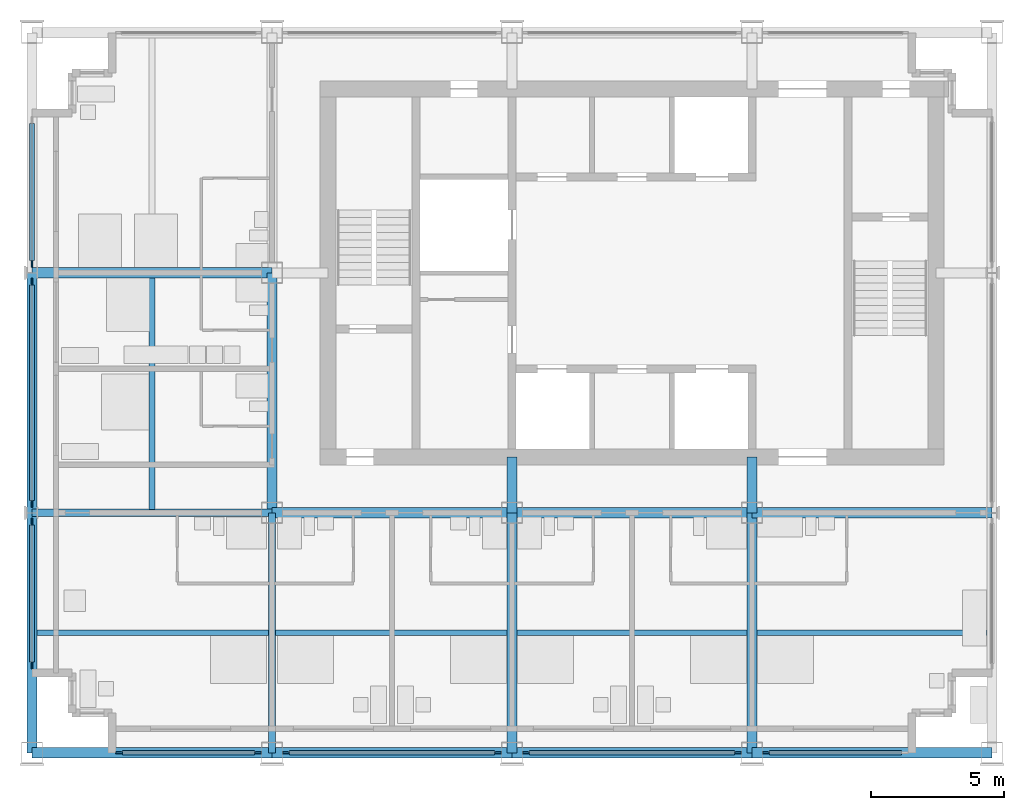
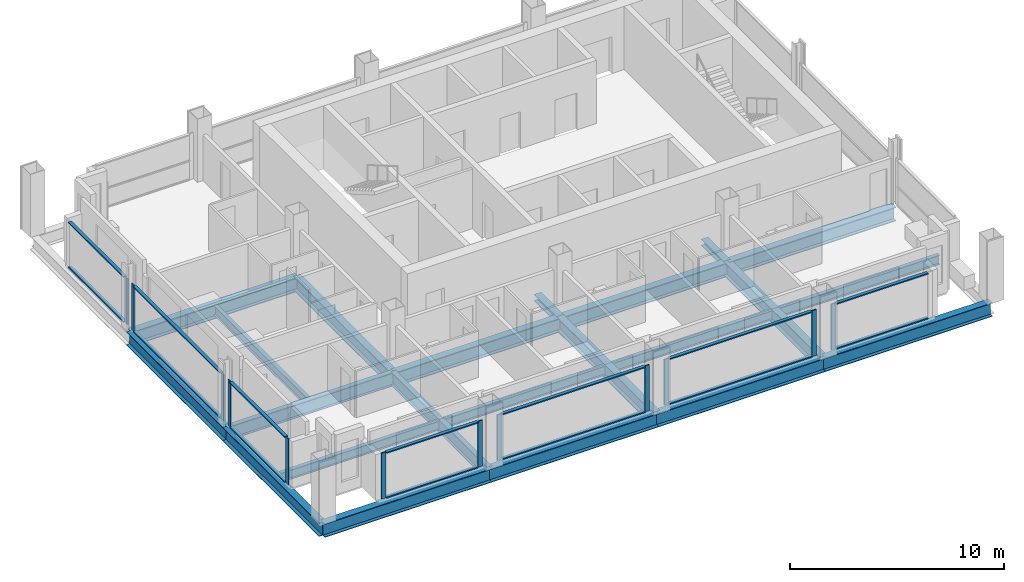
# One storey, part 2 of 12: 28 members, 20 beams, 7 elements without a shape of their own.
"""IFC4 building model written with IfcOpenShell, lengths in metres."""

from ifc_helpers import new_model, si_unit, direction, frame, origin, origin_2d, place, context, subcontext, project, spatial, rectangle, i_section, extrude, material, material_profile, profile_set, type_object, element, aggregate, save


model = new_model("IFC4")

# Units and contexts
model_context = context("Model", 3, precision=1e-05, world=origin(), true_north=direction((0.0, 1.0)))
body_context = subcontext(model_context, "Body", "Model", "MODEL_VIEW")
ifc_project = project(units=[si_unit("LENGTHUNIT", "METRE"), si_unit("AREAUNIT", "SQUARE_METRE"), si_unit("VOLUMEUNIT", "CUBIC_METRE"), si_unit("PLANEANGLEUNIT", "RADIAN"), si_unit("MASSUNIT", "GRAM", prefix="KILO")], contexts=[model_context])

# Site, building, storey
site_placement = place(None, origin())
site = spatial("IfcSite", under=ifc_project, at=site_placement, CompositionType="ELEMENT")
building_placement = place(site_placement, origin())
building = spatial("IfcBuilding", under=site, at=building_placement, Name="Loomwork Tower", CompositionType="ELEMENT")
storey_placement = place(building_placement, frame((0.0, 0.0, 255.39990234375)))
storey = spatial("IfcBuildingStorey", under=building, at=storey_placement, Name="L70", CompositionType="ELEMENT", Elevation=255.39990234375)

# Beams
ifc_material_1 = material(Name="Steel ASTM A992", Category="steel")
ifc_material_profile_1 = material_profile(ifc_material_1, i_section(OverallWidth=0.383544921875, OverallDepth=0.794921875, WebThickness=0.02099609375, FlangeThickness=0.0380859375, at=origin_2d()), Name="W30x235")
ifc_profile_set_1 = profile_set([ifc_material_profile_1], Name="Steel ASTM A992")
beam_type_1 = type_object("IfcBeamType", Name="CORE FLANK GIRDER W30x235", PredefinedType="BEAM", material=ifc_profile_set_1)
for number, where, z_axis, x_axis, name in (
    (1, (9.0, 9.0, -0.597412109375), (1.0, 0.0, 0.0), (0.0, 1.0, 0.0), "Core Flank Girder E/3-E/4 L70"),
    (2, (18.0, 9.0, -0.597412109375), (1.0, 0.0, 0.0), (0.0, 1.0, 0.0), "Core Flank Girder E/4-E/5 L70"),
    (3, (27.0, 9.0, -0.597412109375), (1.0, 0.0, 0.0), (0.0, 1.0, 0.0), "Core Flank Girder E/5-E/6 L70"),
    (4, (0.0, 18.0, -0.597412109375), (1.0, 0.0, 0.0), (0.0, 1.0, 0.0), "Core Flank Girder F/2-F/3 L70"),
    (5, (9.0, 9.0, -0.597412109375), (0.0, 1.0, 0.0), (-1.0, 0.0, 0.0), "Core Flank Girder E/3-F/3 L70"),
    (6, (18.0, 0.0, -0.597412109375), (0.0, 1.0, 0.0), (-1.0, 0.0, 0.0), "Core Flank Girder D/4-E/4 L70"),
    (7, (27.0, 0.0, -0.597412109375), (0.0, 1.0, 0.0), (-1.0, 0.0, 0.0), "Core Flank Girder D/5-E/5 L70"),
):
    element("IfcBeam", number, at=place(storey_placement, frame(where, z_axis=z_axis, x_axis=x_axis)), inside=storey, type_object=beam_type_1, Name=name, PredefinedType="BEAM", context=body_context, shape_type="SweptSolid", body=[
        extrude(i_section(OverallWidth=0.383544921875, OverallDepth=0.794921875, WebThickness=0.02099609375, FlangeThickness=0.0380859375, at=origin_2d()), origin(), (0.0, 0.0, 1.0), 9.0),
    ])

# Members
ifc_material_2 = material(Name="Steel ASTM A992", Category="steel")
ifc_material_profile_2 = material_profile(ifc_material_2, i_section(OverallWidth=0.373291015625, OverallDepth=0.373291015625, WebThickness=0.016357421875, FlangeThickness=0.026123046875, at=origin_2d()), Name="W14x132")
ifc_profile_set_2 = profile_set([ifc_material_profile_2], Name="Steel ASTM A992")
member_type_1 = type_object("IfcMemberType", Name="CORE LINK STRUT W14x132", PredefinedType="STRUT", material=ifc_profile_set_2)
for number, where, z_axis, x_axis, name in (
    (8, (18.0, 9.0, -0.386474609375), (0.0, 1.0, 0.0), (-1.0, 0.0, 0.0), "Core link strut E/4-18.000,11.100 L70"),
    (9, (27.0, 9.0, -0.386474609375), (0.0, 1.0, 0.0), (-1.0, 0.0, 0.0), "Core link strut E/5-27.000,11.100 L70"),
):
    element("IfcMember", number, at=place(storey_placement, frame(where, z_axis=z_axis, x_axis=x_axis)), inside=storey, type_object=member_type_1, Name=name, PredefinedType="STRUT", context=body_context, shape_type="SweptSolid", body=[
        extrude(i_section(OverallWidth=0.373291015625, OverallDepth=0.373291015625, WebThickness=0.016357421875, FlangeThickness=0.026123046875, at=origin_2d()), origin(), (0.0, 0.0, 1.0), 2.10009765625),
    ])

# Beams
ifc_material_3 = material(Name="Steel ASTM A992", Category="steel")
ifc_material_profile_3 = material_profile(ifc_material_3, i_section(OverallWidth=0.2666015625, OverallDepth=0.761962890625, WebThickness=0.014404296875, FlangeThickness=0.021484375, at=origin_2d()), Name="W30x116")
ifc_profile_set_3 = profile_set([ifc_material_profile_3], Name="Steel ASTM A992")
beam_type_2 = type_object("IfcBeamType", Name="FLOOR GIRDER W30x116", PredefinedType="BEAM", material=ifc_profile_set_3)
for number, where, z_axis, x_axis, name in (
    (10, (0.0, 9.0, -0.580810546875), (1.0, 0.0, 0.0), (0.0, 1.0, 0.0), "Floor Girder E/2-E/3 L70"),
    (11, (9.0, 0.0, -0.580810546875), (0.0, 1.0, 0.0), (-1.0, 0.0, 0.0), "Floor Girder D/3-E/3 L70"),
):
    element("IfcBeam", number, at=place(storey_placement, frame(where, z_axis=z_axis, x_axis=x_axis)), inside=storey, type_object=beam_type_2, Name=name, PredefinedType="BEAM", context=body_context, shape_type="SweptSolid", body=[
        extrude(i_section(OverallWidth=0.2666015625, OverallDepth=0.761962890625, WebThickness=0.014404296875, FlangeThickness=0.021484375, at=origin_2d()), origin(), (0.0, 0.0, 1.0), 9.0),
    ])
ifc_material_4 = material(Name="Steel ASTM A992", Category="steel")
ifc_material_profile_4 = material_profile(ifc_material_4, i_section(OverallWidth=0.2109375, OverallDepth=0.53857421875, WebThickness=0.011474609375, FlangeThickness=0.018798828125, at=origin_2d()), Name="W21x73")
ifc_profile_set_4 = profile_set([ifc_material_profile_4], Name="Steel ASTM A992")
beam_type_3 = type_object("IfcBeamType", Name="FLOOR JOIST W21x73", PredefinedType="JOIST", material=ifc_profile_set_4)
beam_1_placement = place(storey_placement, frame((0.18994140625, 4.5, -0.46923828125), z_axis=(1.0, 0.0, 0.0), x_axis=(0.0, 1.0, 0.0)))
element("IfcBeam", 12, at=beam_1_placement, inside=storey, type_object=beam_type_3, Name="Floor Joist 0.000,4.500-9.000,4.500 L70", PredefinedType="JOIST", context=body_context, shape_type="SweptSolid", body=[
    extrude(i_section(OverallWidth=0.2109375, OverallDepth=0.53857421875, WebThickness=0.011474609375, FlangeThickness=0.018798828125, at=origin_2d()), origin(), (0.0, 0.0, 1.0), 8.677001953125),
])
for number, where, z_axis, x_axis, name in (
    (13, (4.5, 9.133056640625, -0.46923828125), (0.0, 1.0, 0.0), (-1.0, 0.0, 0.0), "Floor Joist 4.500,9.000-4.500,18.000 L70"),
    (14, (9.133056640625, 4.5, -0.46923828125), (1.0, 0.0, 0.0), (0.0, 1.0, 0.0), "Floor Joist 9.000,4.500-18.000,4.500 L70"),
):
    element("IfcBeam", number, at=place(storey_placement, frame(where, z_axis=z_axis, x_axis=x_axis)), inside=storey, type_object=beam_type_3, Name=name, PredefinedType="JOIST", context=body_context, shape_type="SweptSolid", body=[
        extrude(i_section(OverallWidth=0.2109375, OverallDepth=0.53857421875, WebThickness=0.011474609375, FlangeThickness=0.018798828125, at=origin_2d()), origin(), (0.0, 0.0, 1.0), 8.676025390625),
    ])
beam_2_placement = place(storey_placement, frame((18.19091796875, 4.5, -0.46923828125), z_axis=(1.0, 0.0, 0.0), x_axis=(0.0, 1.0, 0.0)))
element("IfcBeam", 15, at=beam_2_placement, inside=storey, type_object=beam_type_3, Name="Floor Joist 18.000,4.500-27.000,4.500 L70", PredefinedType="JOIST", context=body_context, shape_type="SweptSolid", body=[
    extrude(i_section(OverallWidth=0.2109375, OverallDepth=0.53857421875, WebThickness=0.011474609375, FlangeThickness=0.018798828125, at=origin_2d()), origin(), (0.0, 0.0, 1.0), 8.6181640625),
])
beam_3_placement = place(storey_placement, frame((27.19091796875, 4.5, -0.46923828125), z_axis=(1.0, 0.0, 0.0), x_axis=(0.0, 1.0, 0.0)))
element("IfcBeam", 16, at=beam_3_placement, inside=storey, type_object=beam_type_3, Name="Floor Joist 27.000,4.500-36.000,4.500 L70", PredefinedType="JOIST", context=body_context, shape_type="SweptSolid", body=[
    extrude(i_section(OverallWidth=0.2109375, OverallDepth=0.53857421875, WebThickness=0.011474609375, FlangeThickness=0.018798828125, at=origin_2d()), origin(), (0.0, 0.0, 1.0), 8.619140625),
])

# Curtain wall, members
ifc_material_5 = material(Name="Aluminium curtain wall frame", Category="aluminium")
curtain_wall_type = type_object("IfcCurtainWallType", Name="Outer skin glazing suites", PredefinedType="NOTDEFINED", material=ifc_material_5)
curtain_wall_1_placement = place(storey_placement, origin())
curtain_wall_1 = element("IfcCurtainWall", 17, at=curtain_wall_1_placement, inside=storey, type_object=curtain_wall_type, Name="Outer skin glazing suites cw/S-0", PredefinedType="NOTDEFINED")
ifc_material_6 = material(Name="Aluminium curtain wall frame", Category="aluminium")
ifc_material_profile_5 = material_profile(ifc_material_6, rectangle(XDim=0.06494140625, YDim=0.25, at=origin_2d()), Name="AL 65x250")
ifc_profile_set_5 = profile_set([ifc_material_profile_5], Name="Aluminium curtain wall frame")
member_type_2 = type_object("IfcMemberType", Name="Outer skin glazing suites mullion", PredefinedType="MULLION", material=ifc_profile_set_5)
member_1_placement = place(storey_placement, frame((3.27490234375, 0.0, 0.0), z_axis=(0.0, 0.0, 1.0), x_axis=(0.0, 1.0, 0.0)))
member_1 = element("IfcMember", 18, at=member_1_placement, type_object=member_type_2, Name="CW2 mullion 1", PredefinedType="MULLION", context=body_context, shape_type="SweptSolid", body=[
    extrude(rectangle(XDim=0.06494140625, YDim=0.25, at=origin_2d()), origin(), (0.0, 0.0, 1.0), 2.620361328125),
])
member_2_placement = place(storey_placement, frame((8.47509765625, 0.0, 0.0), z_axis=(0.0, 0.0, 1.0), x_axis=(0.0, 1.0, 0.0)))
member_2 = element("IfcMember", 19, at=member_2_placement, type_object=member_type_2, Name="CW2 mullion 2", PredefinedType="MULLION", context=body_context, shape_type="SweptSolid", body=[
    extrude(rectangle(XDim=0.06494140625, YDim=0.25, at=origin_2d()), origin(), (0.0, 0.0, 1.0), 2.620361328125),
])

curtain_wall_2_placement = place(storey_placement, origin())
curtain_wall_2 = element("IfcCurtainWall", 20, at=curtain_wall_2_placement, inside=storey, type_object=curtain_wall_type, Name="Outer skin glazing suites cw/S-9", PredefinedType="NOTDEFINED")
member_3_placement = place(storey_placement, frame((9.52490234375, 0.0, 0.0), z_axis=(0.0, 0.0, 1.0), x_axis=(0.0, 1.0, 0.0)))
member_3 = element("IfcMember", 21, at=member_3_placement, type_object=member_type_2, Name="CW2 mullion 1", PredefinedType="MULLION", context=body_context, shape_type="SweptSolid", body=[
    extrude(rectangle(XDim=0.06494140625, YDim=0.25, at=origin_2d()), origin(), (0.0, 0.0, 1.0), 2.620361328125),
])
member_4_placement = place(storey_placement, frame((17.47509765625, 0.0, 0.0), z_axis=(0.0, 0.0, 1.0), x_axis=(0.0, 1.0, 0.0)))
member_4 = element("IfcMember", 22, at=member_4_placement, type_object=member_type_2, Name="CW2 mullion 2", PredefinedType="MULLION", context=body_context, shape_type="SweptSolid", body=[
    extrude(rectangle(XDim=0.06494140625, YDim=0.25, at=origin_2d()), origin(), (0.0, 0.0, 1.0), 2.620361328125),
])

curtain_wall_3_placement = place(storey_placement, origin())
curtain_wall_3 = element("IfcCurtainWall", 23, at=curtain_wall_3_placement, inside=storey, type_object=curtain_wall_type, Name="Outer skin glazing suites cw/S-18", PredefinedType="NOTDEFINED")
member_5_placement = place(storey_placement, frame((18.52490234375, 0.0, 0.0), z_axis=(0.0, 0.0, 1.0), x_axis=(0.0, 1.0, 0.0)))
member_5 = element("IfcMember", 24, at=member_5_placement, type_object=member_type_2, Name="CW2 mullion 1", PredefinedType="MULLION", context=body_context, shape_type="SweptSolid", body=[
    extrude(rectangle(XDim=0.06494140625, YDim=0.25, at=origin_2d()), origin(), (0.0, 0.0, 1.0), 2.620361328125),
])
member_6_placement = place(storey_placement, frame((26.47509765625, 0.0, 0.0), z_axis=(0.0, 0.0, 1.0), x_axis=(0.0, 1.0, 0.0)))
member_6 = element("IfcMember", 25, at=member_6_placement, type_object=member_type_2, Name="CW2 mullion 2", PredefinedType="MULLION", context=body_context, shape_type="SweptSolid", body=[
    extrude(rectangle(XDim=0.06494140625, YDim=0.25, at=origin_2d()), origin(), (0.0, 0.0, 1.0), 2.620361328125),
])

# Curtain wall, member
curtain_wall_4_placement = place(storey_placement, origin())
curtain_wall_4 = element("IfcCurtainWall", 26, at=curtain_wall_4_placement, inside=storey, type_object=curtain_wall_type, Name="Outer skin glazing suites cw/S-27", PredefinedType="NOTDEFINED")
member_7_placement = place(storey_placement, frame((27.52490234375, 0.0, 0.0), z_axis=(0.0, 0.0, 1.0), x_axis=(0.0, 1.0, 0.0)))
member_7 = element("IfcMember", 27, at=member_7_placement, type_object=member_type_2, Name="CW2 mullion 1", PredefinedType="MULLION", context=body_context, shape_type="SweptSolid", body=[
    extrude(rectangle(XDim=0.06494140625, YDim=0.25, at=origin_2d()), origin(), (0.0, 0.0, 1.0), 2.620361328125),
])

# Curtain wall, members
curtain_wall_5_placement = place(storey_placement, origin())
curtain_wall_5 = element("IfcCurtainWall", 28, at=curtain_wall_5_placement, inside=storey, type_object=curtain_wall_type, Name="Outer skin glazing suites cw/W-0", PredefinedType="NOTDEFINED")
member_8_placement = place(storey_placement, frame((0.0, 8.666748046875, 0.0), z_axis=(0.0, 0.0, 1.0), x_axis=(1.0, 0.0, 0.0)))
member_8 = element("IfcMember", 29, at=member_8_placement, type_object=member_type_2, Name="CW2 mullion 1", PredefinedType="MULLION", context=body_context, shape_type="SweptSolid", body=[
    extrude(rectangle(XDim=0.06494140625, YDim=0.25, at=origin_2d()), origin(), (0.0, 0.0, 1.0), 2.620361328125),
])
member_9_placement = place(storey_placement, frame((0.0, 3.27490234375, 0.0), z_axis=(0.0, 0.0, 1.0), x_axis=(1.0, 0.0, 0.0)))
member_9 = element("IfcMember", 30, at=member_9_placement, type_object=member_type_2, Name="CW2 mullion 2", PredefinedType="MULLION", context=body_context, shape_type="SweptSolid", body=[
    extrude(rectangle(XDim=0.06494140625, YDim=0.25, at=origin_2d()), origin(), (0.0, 0.0, 1.0), 2.620361328125),
])

curtain_wall_6_placement = place(storey_placement, origin())
curtain_wall_6 = element("IfcCurtainWall", 31, at=curtain_wall_6_placement, inside=storey, type_object=curtain_wall_type, Name="Outer skin glazing suites cw/W-9", PredefinedType="NOTDEFINED")
member_10_placement = place(storey_placement, frame((0.0, 17.666748046875, 0.0), z_axis=(0.0, 0.0, 1.0), x_axis=(1.0, 0.0, 0.0)))
member_10 = element("IfcMember", 32, at=member_10_placement, type_object=member_type_2, Name="CW2 mullion 1", PredefinedType="MULLION", context=body_context, shape_type="SweptSolid", body=[
    extrude(rectangle(XDim=0.06494140625, YDim=0.25, at=origin_2d()), origin(), (0.0, 0.0, 1.0), 2.620361328125),
])
member_11_placement = place(storey_placement, frame((0.0, 9.333251953125, 0.0), z_axis=(0.0, 0.0, 1.0), x_axis=(1.0, 0.0, 0.0)))
member_11 = element("IfcMember", 33, at=member_11_placement, type_object=member_type_2, Name="CW2 mullion 2", PredefinedType="MULLION", context=body_context, shape_type="SweptSolid", body=[
    extrude(rectangle(XDim=0.06494140625, YDim=0.25, at=origin_2d()), origin(), (0.0, 0.0, 1.0), 2.620361328125),
])

# Curtain wall, member
curtain_wall_7_placement = place(storey_placement, origin())
curtain_wall_7 = element("IfcCurtainWall", 34, at=curtain_wall_7_placement, inside=storey, type_object=curtain_wall_type, Name="Outer skin glazing suites cw/W-18", PredefinedType="NOTDEFINED")
member_12_placement = place(storey_placement, frame((0.0, 18.333251953125, 0.0), z_axis=(0.0, 0.0, 1.0), x_axis=(1.0, 0.0, 0.0)))
member_12 = element("IfcMember", 35, at=member_12_placement, type_object=member_type_2, Name="CW2 mullion 2", PredefinedType="MULLION", context=body_context, shape_type="SweptSolid", body=[
    extrude(rectangle(XDim=0.06494140625, YDim=0.25, at=origin_2d()), origin(), (0.0, 0.0, 1.0), 2.620361328125),
])

# Member
ifc_material_7 = material(Name="Aluminium curtain wall frame", Category="aluminium")
ifc_material_profile_6 = material_profile(ifc_material_7, rectangle(XDim=0.179931640625, YDim=0.06494140625, at=origin_2d()), Name="AL 65x180")
ifc_profile_set_6 = profile_set([ifc_material_profile_6], Name="Aluminium curtain wall frame")
member_type_3 = type_object("IfcMemberType", Name="Outer skin glazing suites transom", PredefinedType="USERDEFINED", material=ifc_profile_set_6)
member_13_placement = place(storey_placement, frame((3.39990234375, 0.0, 0.03271484375), z_axis=(1.0, 0.0, 0.0), x_axis=(0.0, 1.0, 0.0)))
member_13 = element("IfcMember", 36, at=member_13_placement, type_object=member_type_3, Name="CW2 transom 1.1", ObjectType="TRANSOM", PredefinedType="USERDEFINED", context=body_context, shape_type="SweptSolid", body=[
    extrude(rectangle(XDim=0.179931640625, YDim=0.06494140625, at=origin_2d()), origin(), (0.0, 0.0, 1.0), 4.9501953125),
])

member_14_placement = place(storey_placement, frame((3.39990234375, 0.0, 2.587890625), z_axis=(1.0, 0.0, 0.0), x_axis=(0.0, 1.0, 0.0)))
member_14 = element("IfcMember", 37, at=member_14_placement, type_object=member_type_3, Name="CW2 transom 1.2", ObjectType="TRANSOM", PredefinedType="USERDEFINED", context=body_context, shape_type="SweptSolid", body=[
    extrude(rectangle(XDim=0.179931640625, YDim=0.06494140625, at=origin_2d()), origin(), (0.0, 0.0, 1.0), 4.9501953125),
])

aggregate(curtain_wall_1, [member_1, member_2, member_13, member_14])

member_15_placement = place(storey_placement, frame((9.64990234375, 0.0, 0.03271484375), z_axis=(1.0, 0.0, 0.0), x_axis=(0.0, 1.0, 0.0)))
member_15 = element("IfcMember", 38, at=member_15_placement, type_object=member_type_3, Name="CW2 transom 1.1", ObjectType="TRANSOM", PredefinedType="USERDEFINED", context=body_context, shape_type="SweptSolid", body=[
    extrude(rectangle(XDim=0.179931640625, YDim=0.06494140625, at=origin_2d()), origin(), (0.0, 0.0, 1.0), 7.7001953125),
])

member_16_placement = place(storey_placement, frame((9.64990234375, 0.0, 2.587890625), z_axis=(1.0, 0.0, 0.0), x_axis=(0.0, 1.0, 0.0)))
member_16 = element("IfcMember", 39, at=member_16_placement, type_object=member_type_3, Name="CW2 transom 1.2", ObjectType="TRANSOM", PredefinedType="USERDEFINED", context=body_context, shape_type="SweptSolid", body=[
    extrude(rectangle(XDim=0.179931640625, YDim=0.06494140625, at=origin_2d()), origin(), (0.0, 0.0, 1.0), 7.7001953125),
])

aggregate(curtain_wall_2, [member_3, member_4, member_15, member_16])

member_17_placement = place(storey_placement, frame((18.64990234375, 0.0, 0.03271484375), z_axis=(1.0, 0.0, 0.0), x_axis=(0.0, 1.0, 0.0)))
member_17 = element("IfcMember", 40, at=member_17_placement, type_object=member_type_3, Name="CW2 transom 1.1", ObjectType="TRANSOM", PredefinedType="USERDEFINED", context=body_context, shape_type="SweptSolid", body=[
    extrude(rectangle(XDim=0.179931640625, YDim=0.06494140625, at=origin_2d()), origin(), (0.0, 0.0, 1.0), 7.7001953125),
])

member_18_placement = place(storey_placement, frame((18.64990234375, 0.0, 2.587890625), z_axis=(1.0, 0.0, 0.0), x_axis=(0.0, 1.0, 0.0)))
member_18 = element("IfcMember", 41, at=member_18_placement, type_object=member_type_3, Name="CW2 transom 1.2", ObjectType="TRANSOM", PredefinedType="USERDEFINED", context=body_context, shape_type="SweptSolid", body=[
    extrude(rectangle(XDim=0.179931640625, YDim=0.06494140625, at=origin_2d()), origin(), (0.0, 0.0, 1.0), 7.7001953125),
])

aggregate(curtain_wall_3, [member_5, member_6, member_17, member_18])

member_19_placement = place(storey_placement, frame((27.64990234375, 0.0, 0.03271484375), z_axis=(1.0, 0.0, 0.0), x_axis=(0.0, 1.0, 0.0)))
member_19 = element("IfcMember", 42, at=member_19_placement, type_object=member_type_3, Name="CW2 transom 1.1", ObjectType="TRANSOM", PredefinedType="USERDEFINED", context=body_context, shape_type="SweptSolid", body=[
    extrude(rectangle(XDim=0.179931640625, YDim=0.06494140625, at=origin_2d()), origin(), (0.0, 0.0, 1.0), 4.9501953125),
])

member_20_placement = place(storey_placement, frame((27.64990234375, 0.0, 2.587890625), z_axis=(1.0, 0.0, 0.0), x_axis=(0.0, 1.0, 0.0)))
member_20 = element("IfcMember", 43, at=member_20_placement, type_object=member_type_3, Name="CW2 transom 1.2", ObjectType="TRANSOM", PredefinedType="USERDEFINED", context=body_context, shape_type="SweptSolid", body=[
    extrude(rectangle(XDim=0.179931640625, YDim=0.06494140625, at=origin_2d()), origin(), (0.0, 0.0, 1.0), 4.9501953125),
])

aggregate(curtain_wall_4, [member_7, member_19, member_20])

member_21_placement = place(storey_placement, frame((0.0, 8.541748046875, 0.03271484375), z_axis=(0.0, -1.0, 0.0), x_axis=(1.0, 0.0, 0.0)))
member_21 = element("IfcMember", 44, at=member_21_placement, type_object=member_type_3, Name="CW2 transom 1.1", ObjectType="TRANSOM", PredefinedType="USERDEFINED", context=body_context, shape_type="SweptSolid", body=[
    extrude(rectangle(XDim=0.179931640625, YDim=0.06494140625, at=origin_2d()), origin(), (0.0, 0.0, 1.0), 5.141845703125),
])

member_22_placement = place(storey_placement, frame((0.0, 8.541748046875, 2.587890625), z_axis=(0.0, -1.0, 0.0), x_axis=(1.0, 0.0, 0.0)))
member_22 = element("IfcMember", 45, at=member_22_placement, type_object=member_type_3, Name="CW2 transom 1.2", ObjectType="TRANSOM", PredefinedType="USERDEFINED", context=body_context, shape_type="SweptSolid", body=[
    extrude(rectangle(XDim=0.179931640625, YDim=0.06494140625, at=origin_2d()), origin(), (0.0, 0.0, 1.0), 5.141845703125),
])

aggregate(curtain_wall_5, [member_8, member_9, member_21, member_22])

member_23_placement = place(storey_placement, frame((0.0, 17.541748046875, 0.03271484375), z_axis=(0.0, -1.0, 0.0), x_axis=(1.0, 0.0, 0.0)))
member_23 = element("IfcMember", 46, at=member_23_placement, type_object=member_type_3, Name="CW2 transom 1.1", ObjectType="TRANSOM", PredefinedType="USERDEFINED", context=body_context, shape_type="SweptSolid", body=[
    extrude(rectangle(XDim=0.179931640625, YDim=0.06494140625, at=origin_2d()), origin(), (0.0, 0.0, 1.0), 8.08349609375),
])

member_24_placement = place(storey_placement, frame((0.0, 17.541748046875, 2.587890625), z_axis=(0.0, -1.0, 0.0), x_axis=(1.0, 0.0, 0.0)))
member_24 = element("IfcMember", 47, at=member_24_placement, type_object=member_type_3, Name="CW2 transom 1.2", ObjectType="TRANSOM", PredefinedType="USERDEFINED", context=body_context, shape_type="SweptSolid", body=[
    extrude(rectangle(XDim=0.179931640625, YDim=0.06494140625, at=origin_2d()), origin(), (0.0, 0.0, 1.0), 8.08349609375),
])

aggregate(curtain_wall_6, [member_10, member_11, member_23, member_24])

member_25_placement = place(storey_placement, frame((0.0, 23.60009765625, 0.03271484375), z_axis=(0.0, -1.0, 0.0), x_axis=(1.0, 0.0, 0.0)))
member_25 = element("IfcMember", 48, at=member_25_placement, type_object=member_type_3, Name="CW2 transom 1.1", ObjectType="TRANSOM", PredefinedType="USERDEFINED", context=body_context, shape_type="SweptSolid", body=[
    extrude(rectangle(XDim=0.179931640625, YDim=0.06494140625, at=origin_2d()), origin(), (0.0, 0.0, 1.0), 5.141845703125),
])

member_26_placement = place(storey_placement, frame((0.0, 23.60009765625, 2.587890625), z_axis=(0.0, -1.0, 0.0), x_axis=(1.0, 0.0, 0.0)))
member_26 = element("IfcMember", 49, at=member_26_placement, type_object=member_type_3, Name="CW2 transom 1.2", ObjectType="TRANSOM", PredefinedType="USERDEFINED", context=body_context, shape_type="SweptSolid", body=[
    extrude(rectangle(XDim=0.179931640625, YDim=0.06494140625, at=origin_2d()), origin(), (0.0, 0.0, 1.0), 5.141845703125),
])

aggregate(curtain_wall_7, [member_12, member_25, member_26])

# Beams
ifc_material_8 = material(Name="Steel ASTM A992", Category="steel")
ifc_material_profile_7 = material_profile(ifc_material_8, i_section(OverallWidth=0.381103515625, OverallDepth=0.77978515625, WebThickness=0.01806640625, FlangeThickness=0.0302734375, at=origin_2d()), Name="W30x191")
ifc_profile_set_7 = profile_set([ifc_material_profile_7], Name="Steel ASTM A992")
beam_type_4 = type_object("IfcBeamType", Name="SPANDREL GIRDER W30x191", PredefinedType="SPANDREL", material=ifc_profile_set_7)
for number, where, z_axis, x_axis, name in (
    (50, (0.0, 0.0, -0.58984375), (1.0, 0.0, 0.0), (0.0, 1.0, 0.0), "Spandrel Girder D/2-D/3 L70"),
    (51, (9.0, 0.0, -0.58984375), (1.0, 0.0, 0.0), (0.0, 1.0, 0.0), "Spandrel Girder D/3-D/4 L70"),
    (52, (18.0, 0.0, -0.58984375), (1.0, 0.0, 0.0), (0.0, 1.0, 0.0), "Spandrel Girder D/4-D/5 L70"),
    (53, (27.0, 0.0, -0.58984375), (1.0, 0.0, 0.0), (0.0, 1.0, 0.0), "Spandrel Girder D/5-D/6 L70"),
    (54, (0.0, 0.0, -0.58984375), (0.0, 1.0, 0.0), (-1.0, 0.0, 0.0), "Spandrel Girder D/2-E/2 L70"),
    (55, (0.0, 9.0, -0.58984375), (0.0, 1.0, 0.0), (-1.0, 0.0, 0.0), "Spandrel Girder E/2-F/2 L70"),
):
    element("IfcBeam", number, at=place(storey_placement, frame(where, z_axis=z_axis, x_axis=x_axis)), inside=storey, type_object=beam_type_4, Name=name, PredefinedType="SPANDREL", context=body_context, shape_type="SweptSolid", body=[
        extrude(i_section(OverallWidth=0.381103515625, OverallDepth=0.77978515625, WebThickness=0.01806640625, FlangeThickness=0.0302734375, at=origin_2d()), origin(), (0.0, 0.0, 1.0), 9.0),
    ])

save(model, "model.ifc")
